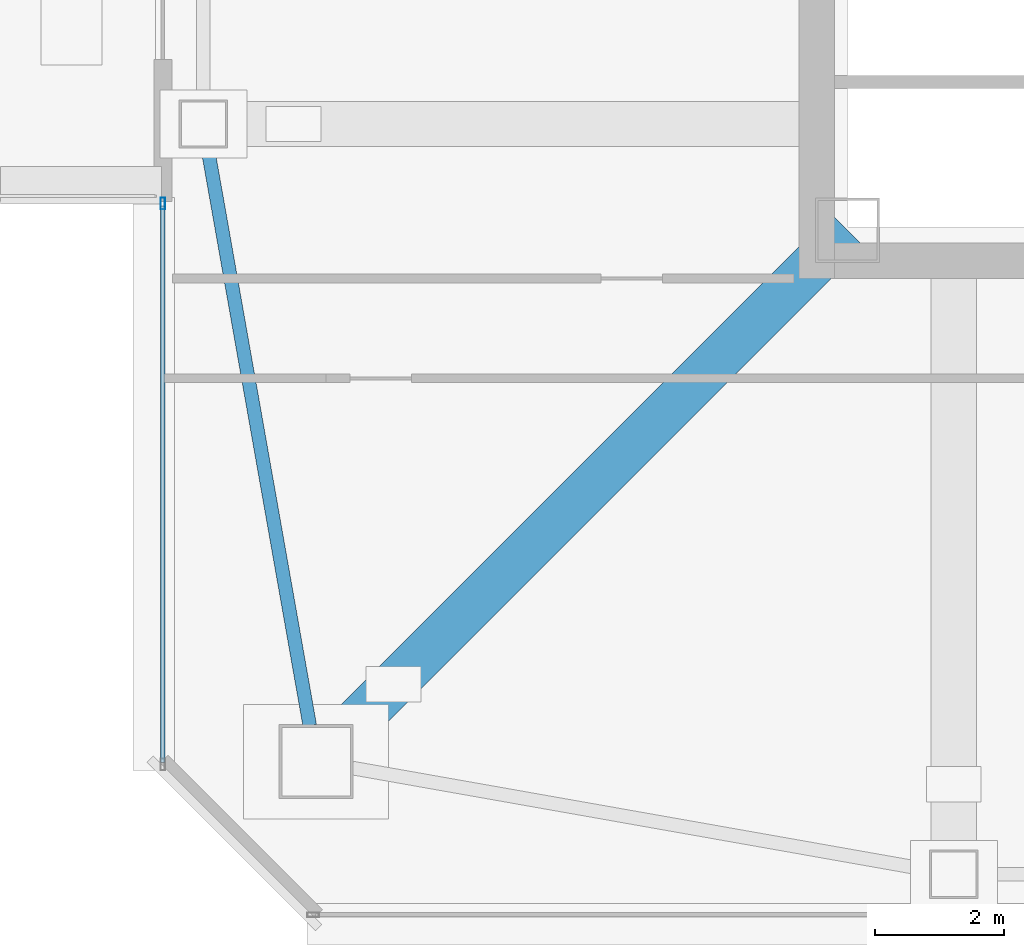
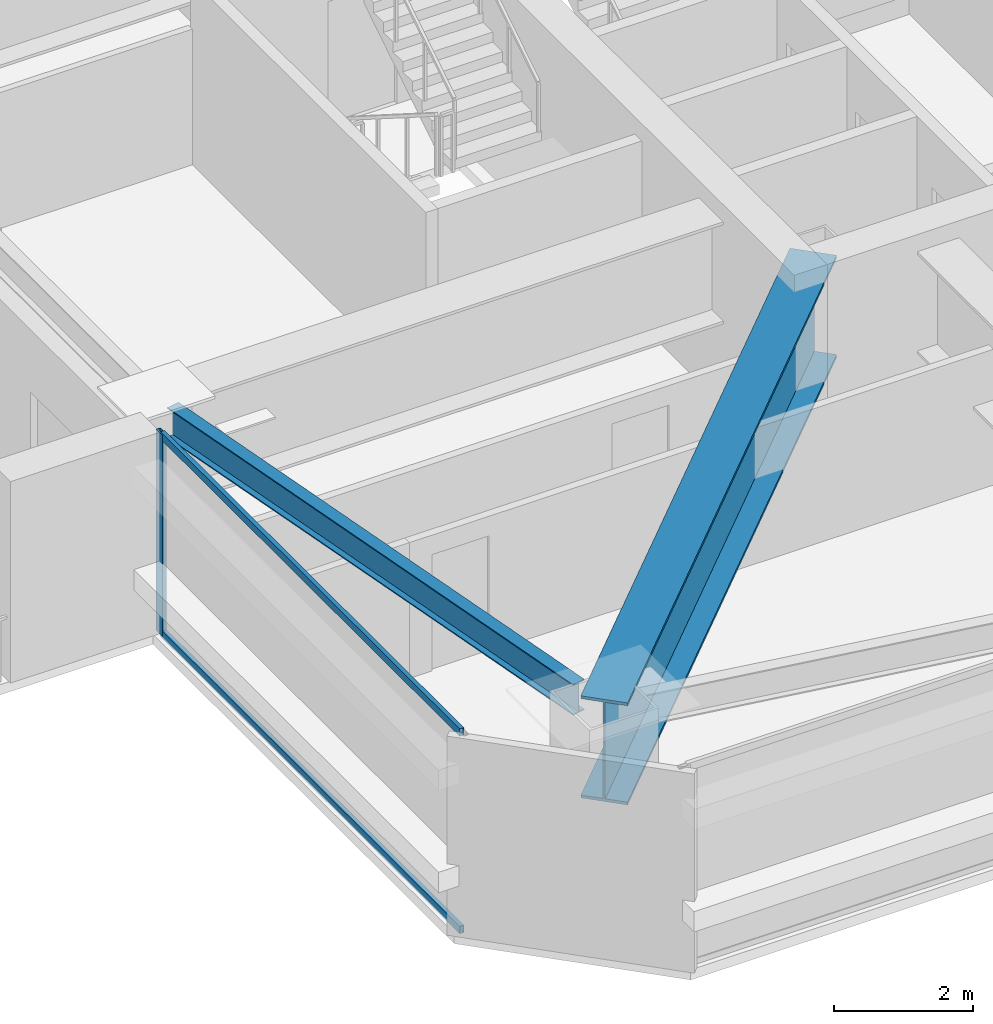
# One storey, part 4 of 42: 3 members, 2 beams, 1 element without a shape of its own.
"""IFC4 building model written with IfcOpenShell, lengths in metres."""

import ifcopenshell
import ifcopenshell.guid

model = None  # the IFC model being written
_history = None  # IfcOwnerHistory: only IFC2X3 demands one
_inside = {}  # id of a spatial element -> (the spatial element, [elements in it])
_under = {}  # id of a project, library or spatial element -> (it, [spatial elements below it])
_declared = {}  # id of a project -> (the project, [libraries it declares])
_typed = {}  # id of a type object -> (the type object, [elements of that type])
_made_of = {}  # id of a material, layer set ... -> (it, [elements and type objects made of it])


def new_model(schema):
    """Start an empty IFC model of exactly this schema.

    Asked for "IFC4X3", IfcOpenShell would pick the latest addendum, in which some entities
    have other attributes; the version numbers below select the first issue.
    IFC2X3 requires an IfcOwnerHistory on every rooted entity: one is made here for all.
    """
    global model, _history
    if schema == "IFC4X3":
        model = ifcopenshell.file(schema_version=(4, 3, 0, 0))
    else:
        model = ifcopenshell.file(schema=schema)
    _inside.clear()
    _under.clear()
    _declared.clear()
    _typed.clear()
    _made_of.clear()
    _history = None
    if model.schema == "IFC2X3":
        org = make("IfcOrganization", Name="unknown")
        user = make(
            "IfcPersonAndOrganization",
            ThePerson=make("IfcPerson", FamilyName="unknown"),
            TheOrganization=org,
        )
        app = make(
            "IfcApplication",
            ApplicationDeveloper=org,
            Version="unknown",
            ApplicationFullName="unknown",
            ApplicationIdentifier="unknown",
        )
        _history = make(
            "IfcOwnerHistory",
            OwningUser=user,
            OwningApplication=app,
            ChangeAction="ADDED",
            CreationDate=0,
        )
    return model


def make(cls, **values):
    """One entity of the class cls with the attributes given. An attribute that is None is left unset."""
    return model.create_entity(
        cls, **{name: value for name, value in values.items() if value is not None}
    )


def rooted(cls, **values):
    """An entity with a GlobalId (a new one), such as an element, a storey or a relation."""
    return make(cls, GlobalId=ifcopenshell.guid.new(), OwnerHistory=_history, **values)


def si_unit(unit_type, name, prefix=None):
    """IfcSIUnit, for example si_unit("LENGTHUNIT", "METRE", prefix="MILLI")."""
    return make("IfcSIUnit", UnitType=unit_type, Prefix=prefix, Name=name)


def assignment(units):
    """IfcUnitAssignment: the units of a project."""
    return None if units is None else make("IfcUnitAssignment", Units=units)


def point(xyz):
    """IfcCartesianPoint."""
    return None if xyz is None else make("IfcCartesianPoint", Coordinates=xyz)


def direction(xyz):
    """IfcDirection."""
    return None if xyz is None else make("IfcDirection", DirectionRatios=xyz)


def frame(location, z_axis=None, x_axis=None):
    """IfcAxis2Placement3D, a coordinate frame: its origin and axes. An axis left out is left unset."""
    return make(
        "IfcAxis2Placement3D",
        Location=point(location),
        Axis=direction(z_axis),
        RefDirection=direction(x_axis),
    )


def frame_2d(location, x_axis=None):
    """IfcAxis2Placement2D, a coordinate frame in the plane: its origin and x axis."""
    return make(
        "IfcAxis2Placement2D", Location=point(location), RefDirection=direction(x_axis)
    )


def origin():
    """The frame at (0, 0, 0) with its axes left unset."""
    return frame((0.0, 0.0, 0.0))


def origin_2d():
    """The frame at (0, 0) in the plane with its x axis left unset."""
    return frame_2d((0.0, 0.0))


def place(relative_to, where):
    """IfcLocalPlacement: puts the frame where relative to a parent placement (None: the world)."""
    return make(
        "IfcLocalPlacement", PlacementRelTo=relative_to, RelativePlacement=where
    )


def context(
    kind, dimensions, precision=None, world=None, true_north=None, identifier=None
):
    """IfcGeometricRepresentationContext, for example the 3D "Model" context."""
    return make(
        "IfcGeometricRepresentationContext",
        ContextIdentifier=identifier,
        ContextType=kind,
        CoordinateSpaceDimension=dimensions,
        Precision=precision,
        WorldCoordinateSystem=world,
        TrueNorth=true_north,
    )


def subcontext(parent, identifier, kind, view, scale=None):
    """IfcGeometricRepresentationSubContext, for example "Body" below "Model"."""
    return make(
        "IfcGeometricRepresentationSubContext",
        ContextIdentifier=identifier,
        ContextType=kind,
        ParentContext=parent,
        TargetScale=scale,
        TargetView=view,
    )


def project(units=None, contexts=None):
    """IfcProject with its units and contexts."""
    return rooted(
        "IfcProject",
        Name="project",
        RepresentationContexts=contexts,
        UnitsInContext=assignment(units),
    )


def spatial(cls, under=None, at=None, **own):
    """A site, building, storey or space (cls), placed at a placement, below another one or the project."""
    s = rooted(cls, ObjectPlacement=at, **own)
    if under is not None:
        _under.setdefault(under.id(), (under, []))[1].append(s)
    return s


def profile(cls, at=None, kind="AREA", **sizes):
    """A parametric profile (cls). Its sizes go by their IFC names, for example OverallWidth=200.0."""
    return make(cls, ProfileType=kind, Position=at, **sizes)


def hollow_rectangle(**sizes):
    """IfcRectangleHollowProfileDef."""
    return profile("IfcRectangleHollowProfileDef", **sizes)


def i_section(**sizes):
    """IfcIShapeProfileDef."""
    return profile("IfcIShapeProfileDef", **sizes)


def extrude(swept, where, along, depth):
    """IfcExtrudedAreaSolid: the profile swept, set in the frame where, extruded along a direction by depth."""
    return make(
        "IfcExtrudedAreaSolid",
        SweptArea=swept,
        Position=where,
        ExtrudedDirection=direction(along),
        Depth=depth,
    )


def shape(context_of_items, identifier, shape_type, items):
    """IfcShapeRepresentation: the items that make up one representation, for example the "Body"."""
    return make(
        "IfcShapeRepresentation",
        ContextOfItems=context_of_items,
        RepresentationIdentifier=identifier,
        RepresentationType=shape_type,
        Items=items,
    )


def material(Name=None, Category=None):
    """IfcMaterial."""
    return make("IfcMaterial", Name=Name, Category=Category)


def material_profile(
    of_material, cross_section, Name=None, Category=None, Priority=None
):
    """IfcMaterialProfile: a cross section and its material."""
    return make(
        "IfcMaterialProfile",
        Name=Name,
        Material=of_material,
        Profile=cross_section,
        Priority=Priority,
        Category=Category,
    )


def profile_set(profiles, Name=None, composite=None):
    """IfcMaterialProfileSet."""
    return make(
        "IfcMaterialProfileSet",
        Name=Name,
        MaterialProfiles=profiles,
        CompositeProfile=composite,
    )


def made_of(thing, what):
    """Note that an element or type object is made of a material, layer set ...; save() writes the relation."""
    if what is not None:
        _made_of.setdefault(what.id(), (what, []))[1].append(thing)
    return thing


def type_object(cls, material=None, **own):
    """A type object (cls), such as IfcWallType, which elements share."""
    return made_of(rooted(cls, **own), material)


def element(
    cls,
    number,
    at=None,
    inside=None,
    cuts=None,
    type_object=None,
    material=None,
    context=None,
    identifier="Body",
    shape_type=None,
    held_by="IfcProductDefinitionShape",
    body=None,
    shapes=None,
    **own,
):
    """One element of the class cls, such as IfcWall. Its Tag is "e" and its number.

    at: its placement. inside: the storey or other place that contains it. cuts: it is an
    opening in that element (IfcRelVoidsElement). A single representation is given by context,
    identifier, shape_type and body (its items); several are given by shapes. held_by: the class
    of the entity that holds the representations. save() writes the other relations.
    """
    e = rooted(cls, Tag="e%d" % number, ObjectPlacement=at, **own)
    if body is not None:
        shapes = [shape(context, identifier, shape_type, body)]
    if shapes is not None:
        e.Representation = make(held_by, Representations=shapes)
    if inside is not None:
        _inside.setdefault(inside.id(), (inside, []))[1].append(e)
    if cuts is not None:
        rooted(
            "IfcRelVoidsElement", RelatingBuildingElement=cuts, RelatedOpeningElement=e
        )
    if type_object is not None:
        _typed.setdefault(type_object.id(), (type_object, []))[1].append(e)
    return made_of(e, material)


def aggregate(whole, parts):
    """IfcRelAggregates: a whole, such as a stair, and the parts it consists of."""
    return rooted("IfcRelAggregates", RelatingObject=whole, RelatedObjects=parts)


def save(model, path):
    """Write the relations noted so far, then the file.

    IfcRelAggregates (storeys below a building ...), IfcRelContainedInSpatialStructure (elements
    in a storey), IfcRelDefinesByType, IfcRelAssociatesMaterial and IfcRelDeclares: one each for
    every whole, place, type object, material and project.
    """
    for whole, parts in _under.values():
        aggregate(whole, parts)
    for where, things in _inside.values():
        rooted(
            "IfcRelContainedInSpatialStructure",
            RelatedElements=things,
            RelatingStructure=where,
        )
    for kind, things in _typed.values():
        rooted("IfcRelDefinesByType", RelatedObjects=things, RelatingType=kind)
    for what, things in _made_of.values():
        rooted("IfcRelAssociatesMaterial", RelatedObjects=things, RelatingMaterial=what)
    for by, libraries in _declared.values():
        rooted("IfcRelDeclares", RelatingContext=by, RelatedDefinitions=libraries)
    model.write(path)


model = new_model("IFC4")

# Units and contexts
model_context = context("Model", 3, precision=1e-05, world=origin(), true_north=direction((0.0, 1.0)))
body_context = subcontext(model_context, "Body", "Model", "MODEL_VIEW")
ifc_project = project(units=[si_unit("LENGTHUNIT", "METRE"), si_unit("AREAUNIT", "SQUARE_METRE"), si_unit("VOLUMEUNIT", "CUBIC_METRE"), si_unit("PLANEANGLEUNIT", "RADIAN"), si_unit("MASSUNIT", "GRAM", prefix="KILO")], contexts=[model_context])

# Site, building, storey
site_placement = place(None, origin())
site = spatial("IfcSite", under=ifc_project, at=site_placement, CompositionType="ELEMENT")
building_placement = place(site_placement, origin())
building = spatial("IfcBuilding", under=site, at=building_placement, Name="Tashvorn Skyway Center", CompositionType="ELEMENT")
storey_placement = place(building_placement, frame((0.0, 0.0, 196.050048828125)))
storey = spatial("IfcBuildingStorey", under=building, at=storey_placement, Name="L53", CompositionType="ELEMENT", Elevation=196.050048828125)

# Beams
ifc_material_1 = material(Name="Steel ASTM A572 Grade 50", Category="steel")
ifc_material_profile_1 = material_profile(ifc_material_1, i_section(OverallWidth=0.699951171875, OverallDepth=1.800048828125, WebThickness=0.031982421875, FlangeThickness=0.050048828125, at=origin_2d()), Name="PG1800x700")
ifc_profile_set_1 = profile_set([ifc_material_profile_1], Name="Steel ASTM A572 Grade 50")
beam_type_1 = type_object("IfcBeamType", Name="BM-BEAM-PG1800x700", PredefinedType="BEAM", material=ifc_profile_set_1)
beam_1_placement = place(storey_placement, frame((26.699951171875, 16.699951171875, 2.349853515625), z_axis=(0.707106781187, 0.707106781187, 0.0), x_axis=(-0.707106781187, 0.707106781187, 0.0)))
element("IfcBeam", 1, at=beam_1_placement, inside=storey, type_object=beam_type_1, Name="Tower 1 L53 Setback Transfer Girder MC-SW", PredefinedType="BEAM", context=body_context, shape_type="SweptSolid", body=[
    extrude(i_section(OverallWidth=0.699951171875, OverallDepth=1.800048828125, WebThickness=0.031982421875, FlangeThickness=0.050048828125, at=origin_2d()), origin(), (0.0, 0.0, 1.0), 11.667236328125),
])
ifc_material_2 = material(Name="Steel ASTM A992 Grade 50", Category="steel")
ifc_material_profile_2 = material_profile(ifc_material_2, i_section(OverallWidth=0.2109375, OverallDepth=0.5390625, WebThickness=0.01171875, FlangeThickness=0.018798828125, at=origin_2d()), Name="W21X73")
ifc_profile_set_2 = profile_set([ifc_material_profile_2], Name="Steel ASTM A992 Grade 50")
beam_type_2 = type_object("IfcBeamType", Name="BM-SPANDREL-W21X73", PredefinedType="SPANDREL", material=ifc_profile_set_2)
beam_2_placement = place(storey_placement, frame((25.014404296875, 26.235595703125, 2.98046875), z_axis=(0.174074160933, -0.984732545667, 0.0), x_axis=(0.984732545667, 0.174074160933, 0.0)))
element("IfcBeam", 2, at=beam_2_placement, inside=storey, type_object=beam_type_2, Name="Tower 1 L53 Spandrel Beam 12", PredefinedType="SPANDREL", context=body_context, shape_type="SweptSolid", body=[
    extrude(i_section(OverallWidth=0.2109375, OverallDepth=0.5390625, WebThickness=0.01171875, FlangeThickness=0.018798828125, at=origin_2d()), origin(), (0.0, 0.0, 1.0), 9.113525390625),
])

# Curtain wall, members
ifc_material_3 = material(Name="Thermally broken bronze-anodized aluminium 6063-T6", Category="aluminium")
curtain_wall_type = type_object("IfcCurtainWallType", Name="CW-CW-Z4", PredefinedType="NOTDEFINED", material=ifc_material_3)
curtain_wall_placement = place(storey_placement, origin())
curtain_wall = element("IfcCurtainWall", 3, at=curtain_wall_placement, inside=storey, type_object=curtain_wall_type, Name="Tower 1 L53 West Curtain Wall L", PredefinedType="NOTDEFINED")
ifc_material_profile_3 = material_profile(ifc_material_3, hollow_rectangle(XDim=0.070068359375, YDim=0.179931640625, WallThickness=0.00390625, at=origin_2d()), Name="ALU-MULL-70x180")
ifc_profile_set_3 = profile_set([ifc_material_profile_3], Name="Thermally broken bronze-anodized aluminium 6063-T6")
member_type_1 = type_object("IfcMemberType", Name="CWM-CW-Z4", PredefinedType="MULLION", material=ifc_profile_set_3)
member_1_placement = place(storey_placement, frame((24.320068359375, 25.364990234375, 0.0), z_axis=(0.0, 0.0, 1.0), x_axis=(-1.0, 0.0, 0.0)))
member_1 = element("IfcMember", 4, at=member_1_placement, type_object=member_type_1, Name="CW-Z4 mullion 2", PredefinedType="MULLION", context=body_context, shape_type="SweptSolid", body=[
    extrude(hollow_rectangle(XDim=0.070068359375, YDim=0.179931640625, WallThickness=0.00390625, at=origin_2d()), origin(), (0.0, 0.0, 1.0), 3.550048828125),
])
ifc_material_profile_4 = material_profile(ifc_material_3, hollow_rectangle(XDim=0.070068359375, YDim=0.1298828125, WallThickness=0.00390625, at=origin_2d()), Name="ALU-TRAN-70x130")
ifc_profile_set_4 = profile_set([ifc_material_profile_4], Name="Thermally broken bronze-anodized aluminium 6063-T6")
member_type_2 = type_object("IfcMemberType", Name="CWT-CW-Z4", PredefinedType="USERDEFINED", material=ifc_profile_set_4)
member_2_placement = place(storey_placement, frame((24.320068359375, 16.68994140625, 0.034912109375), z_axis=(0.0, 1.0, 0.0), x_axis=(-1.0, 0.0, 0.0)))
member_2 = element("IfcMember", 5, at=member_2_placement, type_object=member_type_2, Name="CW-Z4 transom 1.1", ObjectType="TRANSOM", PredefinedType="USERDEFINED", context=body_context, shape_type="SweptSolid", body=[
    extrude(hollow_rectangle(XDim=0.070068359375, YDim=0.1298828125, WallThickness=0.00390625, at=origin_2d()), origin(), (0.0, 0.0, 1.0), 8.64013671875),
])
member_3_placement = place(storey_placement, frame((24.320068359375, 16.68994140625, 3.514892578125), z_axis=(0.0, 1.0, 0.0), x_axis=(-1.0, 0.0, 0.0)))
member_3 = element("IfcMember", 6, at=member_3_placement, type_object=member_type_2, Name="CW-Z4 transom 1.2", ObjectType="TRANSOM", PredefinedType="USERDEFINED", context=body_context, shape_type="SweptSolid", body=[
    extrude(hollow_rectangle(XDim=0.070068359375, YDim=0.1298828125, WallThickness=0.00390625, at=origin_2d()), origin(), (0.0, 0.0, 1.0), 8.64013671875),
])
aggregate(curtain_wall, [member_1, member_2, member_3])

save(model, "model.ifc")
